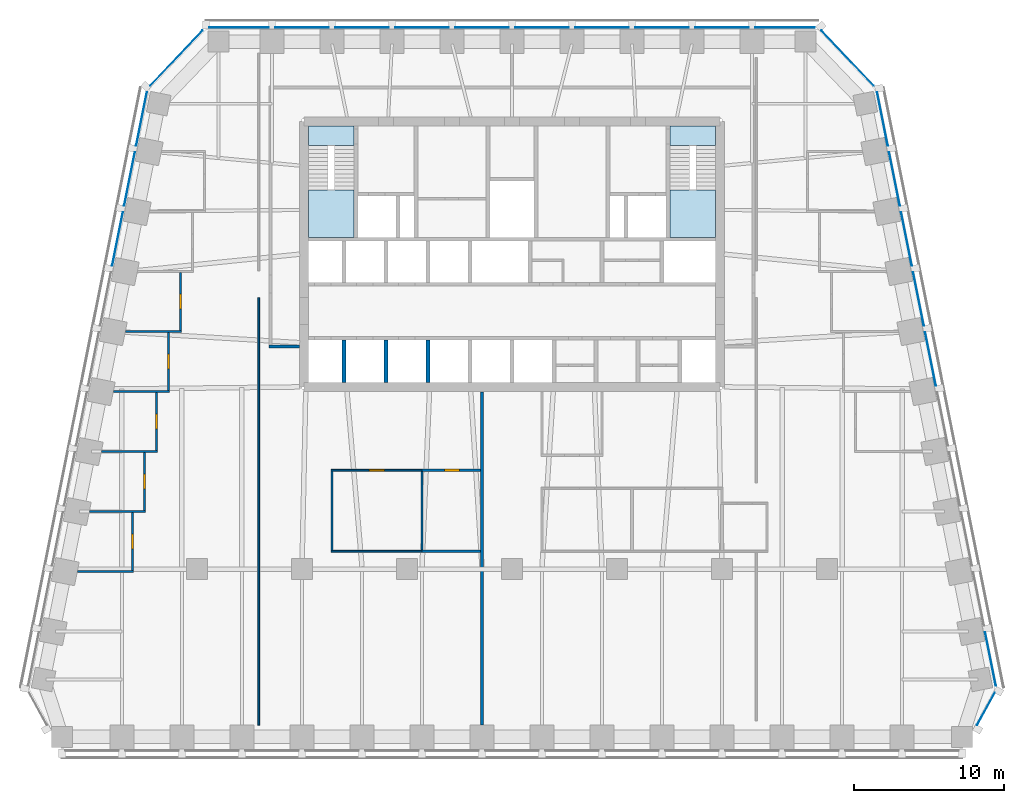
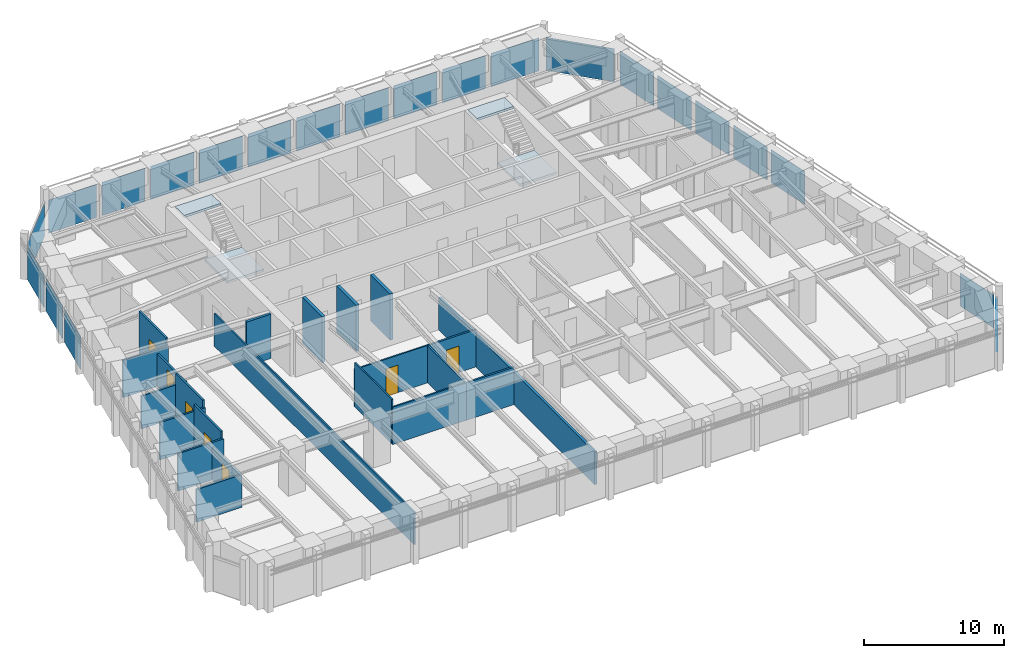
# One storey, part 5 of 10: 22 plates, 22 walls, 7 doors, 4 slabs, 7 openings, 8 elements without a shape of their own.
"""IFC4 building model written with IfcOpenShell, lengths in metres."""

import ifcopenshell
import ifcopenshell.guid

model = None  # the IFC model being written
_history = None  # IfcOwnerHistory: only IFC2X3 demands one
_inside = {}  # id of a spatial element -> (the spatial element, [elements in it])
_under = {}  # id of a project, library or spatial element -> (it, [spatial elements below it])
_declared = {}  # id of a project -> (the project, [libraries it declares])
_typed = {}  # id of a type object -> (the type object, [elements of that type])
_made_of = {}  # id of a material, layer set ... -> (it, [elements and type objects made of it])


def new_model(schema):
    """Start an empty IFC model of exactly this schema.

    Asked for "IFC4X3", IfcOpenShell would pick the latest addendum, in which some entities
    have other attributes; the version numbers below select the first issue.
    IFC2X3 requires an IfcOwnerHistory on every rooted entity: one is made here for all.
    """
    global model, _history
    if schema == "IFC4X3":
        model = ifcopenshell.file(schema_version=(4, 3, 0, 0))
    else:
        model = ifcopenshell.file(schema=schema)
    _inside.clear()
    _under.clear()
    _declared.clear()
    _typed.clear()
    _made_of.clear()
    _history = None
    if model.schema == "IFC2X3":
        org = make("IfcOrganization", Name="unknown")
        user = make(
            "IfcPersonAndOrganization",
            ThePerson=make("IfcPerson", FamilyName="unknown"),
            TheOrganization=org,
        )
        app = make(
            "IfcApplication",
            ApplicationDeveloper=org,
            Version="unknown",
            ApplicationFullName="unknown",
            ApplicationIdentifier="unknown",
        )
        _history = make(
            "IfcOwnerHistory",
            OwningUser=user,
            OwningApplication=app,
            ChangeAction="ADDED",
            CreationDate=0,
        )
    return model


def make(cls, **values):
    """One entity of the class cls with the attributes given. An attribute that is None is left unset."""
    return model.create_entity(
        cls, **{name: value for name, value in values.items() if value is not None}
    )


def rooted(cls, **values):
    """An entity with a GlobalId (a new one), such as an element, a storey or a relation."""
    return make(cls, GlobalId=ifcopenshell.guid.new(), OwnerHistory=_history, **values)


def si_unit(unit_type, name, prefix=None):
    """IfcSIUnit, for example si_unit("LENGTHUNIT", "METRE", prefix="MILLI")."""
    return make("IfcSIUnit", UnitType=unit_type, Prefix=prefix, Name=name)


def assignment(units):
    """IfcUnitAssignment: the units of a project."""
    return None if units is None else make("IfcUnitAssignment", Units=units)


def point(xyz):
    """IfcCartesianPoint."""
    return None if xyz is None else make("IfcCartesianPoint", Coordinates=xyz)


def direction(xyz):
    """IfcDirection."""
    return None if xyz is None else make("IfcDirection", DirectionRatios=xyz)


def frame(location, z_axis=None, x_axis=None):
    """IfcAxis2Placement3D, a coordinate frame: its origin and axes. An axis left out is left unset."""
    return make(
        "IfcAxis2Placement3D",
        Location=point(location),
        Axis=direction(z_axis),
        RefDirection=direction(x_axis),
    )


def frame_2d(location, x_axis=None):
    """IfcAxis2Placement2D, a coordinate frame in the plane: its origin and x axis."""
    return make(
        "IfcAxis2Placement2D", Location=point(location), RefDirection=direction(x_axis)
    )


def origin():
    """The frame at (0, 0, 0) with its axes left unset."""
    return frame((0.0, 0.0, 0.0))


def origin_2d():
    """The frame at (0, 0) in the plane with its x axis left unset."""
    return frame_2d((0.0, 0.0))


def place(relative_to, where):
    """IfcLocalPlacement: puts the frame where relative to a parent placement (None: the world)."""
    return make(
        "IfcLocalPlacement", PlacementRelTo=relative_to, RelativePlacement=where
    )


def context(
    kind, dimensions, precision=None, world=None, true_north=None, identifier=None
):
    """IfcGeometricRepresentationContext, for example the 3D "Model" context."""
    return make(
        "IfcGeometricRepresentationContext",
        ContextIdentifier=identifier,
        ContextType=kind,
        CoordinateSpaceDimension=dimensions,
        Precision=precision,
        WorldCoordinateSystem=world,
        TrueNorth=true_north,
    )


def subcontext(parent, identifier, kind, view, scale=None):
    """IfcGeometricRepresentationSubContext, for example "Body" below "Model"."""
    return make(
        "IfcGeometricRepresentationSubContext",
        ContextIdentifier=identifier,
        ContextType=kind,
        ParentContext=parent,
        TargetScale=scale,
        TargetView=view,
    )


def project(units=None, contexts=None):
    """IfcProject with its units and contexts."""
    return rooted(
        "IfcProject",
        Name="project",
        RepresentationContexts=contexts,
        UnitsInContext=assignment(units),
    )


def spatial(cls, under=None, at=None, **own):
    """A site, building, storey or space (cls), placed at a placement, below another one or the project."""
    s = rooted(cls, ObjectPlacement=at, **own)
    if under is not None:
        _under.setdefault(under.id(), (under, []))[1].append(s)
    return s


def polyline(points):
    """IfcPolyline through the points."""
    return make("IfcPolyline", Points=[point(p) for p in points])


def profile(cls, at=None, kind="AREA", **sizes):
    """A parametric profile (cls). Its sizes go by their IFC names, for example OverallWidth=200.0."""
    return make(cls, ProfileType=kind, Position=at, **sizes)


def rectangle(**sizes):
    """IfcRectangleProfileDef."""
    return profile("IfcRectangleProfileDef", **sizes)


def outline(outer, holes=None, kind="AREA"):
    """IfcArbitraryClosedProfileDef: a profile drawn as a closed curve; with holes, ...WithVoids."""
    if holes is None:
        return make("IfcArbitraryClosedProfileDef", ProfileType=kind, OuterCurve=outer)
    return make(
        "IfcArbitraryProfileDefWithVoids",
        ProfileType=kind,
        OuterCurve=outer,
        InnerCurves=holes,
    )


def extrude(swept, where, along, depth):
    """IfcExtrudedAreaSolid: the profile swept, set in the frame where, extruded along a direction by depth."""
    return make(
        "IfcExtrudedAreaSolid",
        SweptArea=swept,
        Position=where,
        ExtrudedDirection=direction(along),
        Depth=depth,
    )


def shape(context_of_items, identifier, shape_type, items):
    """IfcShapeRepresentation: the items that make up one representation, for example the "Body"."""
    return make(
        "IfcShapeRepresentation",
        ContextOfItems=context_of_items,
        RepresentationIdentifier=identifier,
        RepresentationType=shape_type,
        Items=items,
    )


def material(Name=None, Category=None):
    """IfcMaterial."""
    return make("IfcMaterial", Name=Name, Category=Category)


def layer(
    of_material, thickness, ventilated=None, Name=None, Category=None, Priority=None
):
    """IfcMaterialLayer: one layer of a wall or slab, of a material (None: an air gap)."""
    return make(
        "IfcMaterialLayer",
        Material=of_material,
        LayerThickness=thickness,
        IsVentilated=ventilated,
        Name=Name,
        Category=Category,
        Priority=Priority,
    )


def layer_set(layers, Name=None):
    """IfcMaterialLayerSet."""
    return make("IfcMaterialLayerSet", MaterialLayers=layers, LayerSetName=Name)


def made_of(thing, what):
    """Note that an element or type object is made of a material, layer set ...; save() writes the relation."""
    if what is not None:
        _made_of.setdefault(what.id(), (what, []))[1].append(thing)
    return thing


def type_object(cls, material=None, **own):
    """A type object (cls), such as IfcWallType, which elements share."""
    return made_of(rooted(cls, **own), material)


def element(
    cls,
    number,
    at=None,
    inside=None,
    cuts=None,
    type_object=None,
    material=None,
    context=None,
    identifier="Body",
    shape_type=None,
    held_by="IfcProductDefinitionShape",
    body=None,
    shapes=None,
    **own,
):
    """One element of the class cls, such as IfcWall. Its Tag is "e" and its number.

    at: its placement. inside: the storey or other place that contains it. cuts: it is an
    opening in that element (IfcRelVoidsElement). A single representation is given by context,
    identifier, shape_type and body (its items); several are given by shapes. held_by: the class
    of the entity that holds the representations. save() writes the other relations.
    """
    e = rooted(cls, Tag="e%d" % number, ObjectPlacement=at, **own)
    if body is not None:
        shapes = [shape(context, identifier, shape_type, body)]
    if shapes is not None:
        e.Representation = make(held_by, Representations=shapes)
    if inside is not None:
        _inside.setdefault(inside.id(), (inside, []))[1].append(e)
    if cuts is not None:
        rooted(
            "IfcRelVoidsElement", RelatingBuildingElement=cuts, RelatedOpeningElement=e
        )
    if type_object is not None:
        _typed.setdefault(type_object.id(), (type_object, []))[1].append(e)
    return made_of(e, material)


def fill(opening, filler):
    """IfcRelFillsElement: the door or window that sits in an opening."""
    return rooted(
        "IfcRelFillsElement",
        RelatingOpeningElement=opening,
        RelatedBuildingElement=filler,
    )


def aggregate(whole, parts):
    """IfcRelAggregates: a whole, such as a stair, and the parts it consists of."""
    return rooted("IfcRelAggregates", RelatingObject=whole, RelatedObjects=parts)


def save(model, path):
    """Write the relations noted so far, then the file.

    IfcRelAggregates (storeys below a building ...), IfcRelContainedInSpatialStructure (elements
    in a storey), IfcRelDefinesByType, IfcRelAssociatesMaterial and IfcRelDeclares: one each for
    every whole, place, type object, material and project.
    """
    for whole, parts in _under.values():
        aggregate(whole, parts)
    for where, things in _inside.values():
        rooted(
            "IfcRelContainedInSpatialStructure",
            RelatedElements=things,
            RelatingStructure=where,
        )
    for kind, things in _typed.values():
        rooted("IfcRelDefinesByType", RelatedObjects=things, RelatingType=kind)
    for what, things in _made_of.values():
        rooted("IfcRelAssociatesMaterial", RelatedObjects=things, RelatingMaterial=what)
    for by, libraries in _declared.values():
        rooted("IfcRelDeclares", RelatingContext=by, RelatedDefinitions=libraries)
    model.write(path)


model = new_model("IFC4")

# Units and contexts
model_context = context("Model", 3, precision=1e-05, world=origin(), true_north=direction((0.0, 1.0)))
body_context = subcontext(model_context, "Body", "Model", "MODEL_VIEW")
ifc_project = project(units=[si_unit("LENGTHUNIT", "METRE"), si_unit("AREAUNIT", "SQUARE_METRE"), si_unit("VOLUMEUNIT", "CUBIC_METRE"), si_unit("PLANEANGLEUNIT", "RADIAN"), si_unit("MASSUNIT", "GRAM", prefix="KILO")], contexts=[model_context])

# Site, building, storey
site_placement = place(None, origin())
site = spatial("IfcSite", under=ifc_project, at=site_placement, CompositionType="ELEMENT")
building_placement = place(site_placement, origin())
building = spatial("IfcBuilding", under=site, at=building_placement, Name="Isbrekke Arena Tower", CompositionType="ELEMENT")
storey_placement = place(building_placement, frame((0.0, 0.0, 198.0)))
storey = spatial("IfcBuildingStorey", under=building, at=storey_placement, Name="L45", CompositionType="ELEMENT", Elevation=198.0)

# Curtain wall, plate
ifc_material_1 = material(Name="Glazed aluminium curtain wall", Category="aluminium")
curtain_wall_type = type_object("IfcCurtainWallType", Name="CWH TOWER CURTAIN WALL HIGH ZONE", PredefinedType="USERDEFINED", material=ifc_material_1)
curtain_wall_1_placement = place(storey_placement, origin())
curtain_wall_1 = element("IfcCurtainWall", 1, at=curtain_wall_1_placement, inside=storey, type_object=curtain_wall_type, Name="CWH curtain wall L45-SE", ObjectType="TOWER CURTAIN WALL HIGH ZONE", PredefinedType="USERDEFINED")
ifc_material_2 = material(Name="Triple-glazed clear glass unit", Category="glass")
ifc_layer_1 = layer(ifc_material_2, 0.031982421875)
ifc_layer_set_1 = layer_set([ifc_layer_1], Name="CWH-P VISION PANEL")
plate_type = type_object("IfcPlateType", Name="CWH-P VISION PANEL", PredefinedType="CURTAIN_PANEL", material=ifc_layer_set_1)
plate_1_placement = place(storey_placement, frame((31.5908203125, -15.3154296875, 0.02001953125), z_axis=(0.0, 0.0, 1.0), x_axis=(0.481918749773, 0.876215908676, 0.0)))
plate_1 = element("IfcPlate", 2, at=plate_1_placement, type_object=plate_type, Name="CWH-P panel 1", PredefinedType="CURTAIN_PANEL", context=body_context, shape_type="SweptSolid", body=[
    extrude(rectangle(XDim=2.4423828125, YDim=0.031982421875, at=origin_2d()), origin(), (0.0, 0.0, 1.0), 2.8798828125),
])
aggregate(curtain_wall_1, [plate_1])

# Curtain wall, plates
curtain_wall_2_placement = place(storey_placement, origin())
curtain_wall_2 = element("IfcCurtainWall", 3, at=curtain_wall_2_placement, inside=storey, type_object=curtain_wall_type, Name="CWH curtain wall L45-E", ObjectType="TOWER CURTAIN WALL HIGH ZONE", PredefinedType="USERDEFINED")
plate_2_placement = place(storey_placement, frame((31.89794921875, -11.98046875, 0.02001953125), z_axis=(0.0, 0.0, 1.0), x_axis=(-0.196116135138, 0.980580675691, 0.0)))
plate_2 = element("IfcPlate", 4, at=plate_2_placement, type_object=plate_type, Name="CWH-P panel 1", PredefinedType="CURTAIN_PANEL", context=body_context, shape_type="SweptSolid", body=[
    extrude(rectangle(XDim=3.629150390625, YDim=0.031982421875, at=origin_2d()), origin(), (0.0, 0.0, 1.0), 2.8798828125),
])
plate_3_placement = place(storey_placement, frame((27.89794921875, 8.01953125, 0.02001953125), z_axis=(0.0, 0.0, 1.0), x_axis=(-0.196116135138, 0.980580675691, 0.0)))
plate_3 = element("IfcPlate", 5, at=plate_3_placement, type_object=plate_type, Name="CWH-P panel 6", PredefinedType="CURTAIN_PANEL", context=body_context, shape_type="SweptSolid", body=[
    extrude(rectangle(XDim=3.629150390625, YDim=0.031982421875, at=origin_2d()), origin(), (0.0, 0.0, 1.0), 2.8798828125),
])
plate_4_placement = place(storey_placement, frame((27.09814453125, 12.01953125, 0.02001953125), z_axis=(0.0, 0.0, 1.0), x_axis=(-0.196116135138, 0.980580675691, 0.0)))
plate_4 = element("IfcPlate", 6, at=plate_4_placement, type_object=plate_type, Name="CWH-P panel 7", PredefinedType="CURTAIN_PANEL", context=body_context, shape_type="SweptSolid", body=[
    extrude(rectangle(XDim=3.629150390625, YDim=0.031982421875, at=origin_2d()), origin(), (0.0, 0.0, 1.0), 2.8798828125),
])
plate_5_placement = place(storey_placement, frame((26.298095703125, 16.01953125, 0.02001953125), z_axis=(0.0, 0.0, 1.0), x_axis=(-0.196116135138, 0.980580675691, 0.0)))
plate_5 = element("IfcPlate", 7, at=plate_5_placement, type_object=plate_type, Name="CWH-P panel 8", PredefinedType="CURTAIN_PANEL", context=body_context, shape_type="SweptSolid", body=[
    extrude(rectangle(XDim=3.629150390625, YDim=0.031982421875, at=origin_2d()), origin(), (0.0, 0.0, 1.0), 2.8798828125),
])
plate_6_placement = place(storey_placement, frame((25.498046875, 20.01953125, 0.02001953125), z_axis=(0.0, 0.0, 1.0), x_axis=(-0.196116135138, 0.980580675691, 0.0)))
plate_6 = element("IfcPlate", 8, at=plate_6_placement, type_object=plate_type, Name="CWH-P panel 9", PredefinedType="CURTAIN_PANEL", context=body_context, shape_type="SweptSolid", body=[
    extrude(rectangle(XDim=3.629150390625, YDim=0.031982421875, at=origin_2d()), origin(), (0.0, 0.0, 1.0), 2.8798828125),
])
plate_7_placement = place(storey_placement, frame((24.697998046875, 24.01953125, 0.02001953125), z_axis=(0.0, 0.0, 1.0), x_axis=(-0.196116135138, 0.980580675691, 0.0)))
plate_7 = element("IfcPlate", 9, at=plate_7_placement, type_object=plate_type, Name="CWH-P panel 10", PredefinedType="CURTAIN_PANEL", context=body_context, shape_type="SweptSolid", body=[
    extrude(rectangle(XDim=3.629150390625, YDim=0.031982421875, at=origin_2d()), origin(), (0.0, 0.0, 1.0), 2.8798828125),
])
aggregate(curtain_wall_2, [plate_2, plate_3, plate_4, plate_5, plate_6, plate_7])

# Curtain wall, plate
curtain_wall_3_placement = place(storey_placement, origin())
curtain_wall_3 = element("IfcCurtainWall", 10, at=curtain_wall_3_placement, inside=storey, type_object=curtain_wall_type, Name="CWH curtain wall L45-EN", ObjectType="TOWER CURTAIN WALL HIGH ZONE", PredefinedType="USERDEFINED")
plate_8_placement = place(storey_placement, frame((22.37255859375, 28.06884765625, 0.02001953125), z_axis=(0.0, 0.0, 1.0), x_axis=(-0.68874946192, 0.72499943359, 0.0)))
plate_8 = element("IfcPlate", 11, at=plate_8_placement, type_object=plate_type, Name="CWH-P panel 1", PredefinedType="CURTAIN_PANEL", context=body_context, shape_type="SweptSolid", body=[
    extrude(rectangle(XDim=5.067138671875, YDim=0.031982421875, at=origin_2d()), origin(), (0.0, 0.0, 1.0), 2.8798828125),
])
aggregate(curtain_wall_3, [plate_8])

# Curtain wall, plates
curtain_wall_4_placement = place(storey_placement, origin())
curtain_wall_4 = element("IfcCurtainWall", 12, at=curtain_wall_4_placement, inside=storey, type_object=curtain_wall_type, Name="CWH curtain wall L45-N", ObjectType="TOWER CURTAIN WALL HIGH ZONE", PredefinedType="USERDEFINED")
plate_9_placement = place(storey_placement, frame((18.199951171875, 30.10009765625, 0.02001953125), z_axis=(0.0, 0.0, 1.0), x_axis=(-1.0, 0.0, 0.0)))
plate_9 = element("IfcPlate", 13, at=plate_9_placement, type_object=plate_type, Name="CWH-P panel 1", PredefinedType="CURTAIN_PANEL", context=body_context, shape_type="SweptSolid", body=[
    extrude(rectangle(XDim=3.949951171875, YDim=0.031982421875, at=origin_2d()), origin(), (0.0, 0.0, 1.0), 2.8798828125),
])
plate_10_placement = place(storey_placement, frame((14.0, 30.10009765625, 0.02001953125), z_axis=(0.0, 0.0, 1.0), x_axis=(-1.0, 0.0, 0.0)))
plate_10 = element("IfcPlate", 14, at=plate_10_placement, type_object=plate_type, Name="CWH-P panel 2", PredefinedType="CURTAIN_PANEL", context=body_context, shape_type="SweptSolid", body=[
    extrude(rectangle(XDim=3.550048828125, YDim=0.031982421875, at=origin_2d()), origin(), (0.0, 0.0, 1.0), 2.8798828125),
])
plate_11_placement = place(storey_placement, frame((10.0, 30.10009765625, 0.02001953125), z_axis=(0.0, 0.0, 1.0), x_axis=(-1.0, 0.0, 0.0)))
plate_11 = element("IfcPlate", 15, at=plate_11_placement, type_object=plate_type, Name="CWH-P panel 3", PredefinedType="CURTAIN_PANEL", context=body_context, shape_type="SweptSolid", body=[
    extrude(rectangle(XDim=3.550048828125, YDim=0.031982421875, at=origin_2d()), origin(), (0.0, 0.0, 1.0), 2.8798828125),
])
plate_12_placement = place(storey_placement, frame((6.0, 30.10009765625, 0.02001953125), z_axis=(0.0, 0.0, 1.0), x_axis=(-1.0, 0.0, 0.0)))
plate_12 = element("IfcPlate", 16, at=plate_12_placement, type_object=plate_type, Name="CWH-P panel 4", PredefinedType="CURTAIN_PANEL", context=body_context, shape_type="SweptSolid", body=[
    extrude(rectangle(XDim=3.550048828125, YDim=0.031982421875, at=origin_2d()), origin(), (0.0, 0.0, 1.0), 2.8798828125),
])
plate_13_placement = place(storey_placement, frame((2.0, 30.10009765625, 0.02001953125), z_axis=(0.0, 0.0, 1.0), x_axis=(-1.0, 0.0, 0.0)))
plate_13 = element("IfcPlate", 17, at=plate_13_placement, type_object=plate_type, Name="CWH-P panel 5", PredefinedType="CURTAIN_PANEL", context=body_context, shape_type="SweptSolid", body=[
    extrude(rectangle(XDim=3.550048828125, YDim=0.031982421875, at=origin_2d()), origin(), (0.0, 0.0, 1.0), 2.8798828125),
])
plate_14_placement = place(storey_placement, frame((-2.0, 30.10009765625, 0.02001953125), z_axis=(0.0, 0.0, 1.0), x_axis=(-1.0, 0.0, 0.0)))
plate_14 = element("IfcPlate", 18, at=plate_14_placement, type_object=plate_type, Name="CWH-P panel 6", PredefinedType="CURTAIN_PANEL", context=body_context, shape_type="SweptSolid", body=[
    extrude(rectangle(XDim=3.550048828125, YDim=0.031982421875, at=origin_2d()), origin(), (0.0, 0.0, 1.0), 2.8798828125),
])
plate_15_placement = place(storey_placement, frame((-6.0, 30.10009765625, 0.02001953125), z_axis=(0.0, 0.0, 1.0), x_axis=(-1.0, 0.0, 0.0)))
plate_15 = element("IfcPlate", 19, at=plate_15_placement, type_object=plate_type, Name="CWH-P panel 7", PredefinedType="CURTAIN_PANEL", context=body_context, shape_type="SweptSolid", body=[
    extrude(rectangle(XDim=3.550048828125, YDim=0.031982421875, at=origin_2d()), origin(), (0.0, 0.0, 1.0), 2.8798828125),
])
plate_16_placement = place(storey_placement, frame((-10.0, 30.10009765625, 0.02001953125), z_axis=(0.0, 0.0, 1.0), x_axis=(-1.0, 0.0, 0.0)))
plate_16 = element("IfcPlate", 20, at=plate_16_placement, type_object=plate_type, Name="CWH-P panel 8", PredefinedType="CURTAIN_PANEL", context=body_context, shape_type="SweptSolid", body=[
    extrude(rectangle(XDim=3.550048828125, YDim=0.031982421875, at=origin_2d()), origin(), (0.0, 0.0, 1.0), 2.8798828125),
])
plate_17_placement = place(storey_placement, frame((-14.0, 30.10009765625, 0.02001953125), z_axis=(0.0, 0.0, 1.0), x_axis=(-1.0, 0.0, 0.0)))
plate_17 = element("IfcPlate", 21, at=plate_17_placement, type_object=plate_type, Name="CWH-P panel 9", PredefinedType="CURTAIN_PANEL", context=body_context, shape_type="SweptSolid", body=[
    extrude(rectangle(XDim=3.550048828125, YDim=0.031982421875, at=origin_2d()), origin(), (0.0, 0.0, 1.0), 2.8798828125),
])
plate_18_placement = place(storey_placement, frame((-18.199951171875, 30.10009765625, 0.02001953125), z_axis=(0.0, 0.0, 1.0), x_axis=(-1.0, 0.0, 0.0)))
plate_18 = element("IfcPlate", 22, at=plate_18_placement, type_object=plate_type, Name="CWH-P panel 10", PredefinedType="CURTAIN_PANEL", context=body_context, shape_type="SweptSolid", body=[
    extrude(rectangle(XDim=3.949951171875, YDim=0.031982421875, at=origin_2d()), origin(), (0.0, 0.0, 1.0), 2.8798828125),
])
aggregate(curtain_wall_4, [plate_9, plate_10, plate_11, plate_12, plate_13, plate_14, plate_15, plate_16, plate_17, plate_18])

# Curtain wall, plate
curtain_wall_5_placement = place(storey_placement, origin())
curtain_wall_5 = element("IfcCurtainWall", 23, at=curtain_wall_5_placement, inside=storey, type_object=curtain_wall_type, Name="CWH curtain wall L45-NW", ObjectType="TOWER CURTAIN WALL HIGH ZONE", PredefinedType="USERDEFINED")
plate_19_placement = place(storey_placement, frame((-22.37255859375, 28.06884765625, 0.02001953125), z_axis=(0.0, 0.0, 1.0), x_axis=(-0.68874946192, -0.72499943359, 0.0)))
plate_19 = element("IfcPlate", 24, at=plate_19_placement, type_object=plate_type, Name="CWH-P panel 1", PredefinedType="CURTAIN_PANEL", context=body_context, shape_type="SweptSolid", body=[
    extrude(rectangle(XDim=5.067138671875, YDim=0.031982421875, at=origin_2d()), origin(), (0.0, 0.0, 1.0), 2.8798828125),
])
aggregate(curtain_wall_5, [plate_19])

# Curtain wall, plates
curtain_wall_6_placement = place(storey_placement, origin())
curtain_wall_6 = element("IfcCurtainWall", 25, at=curtain_wall_6_placement, inside=storey, type_object=curtain_wall_type, Name="CWH curtain wall L45-W", ObjectType="TOWER CURTAIN WALL HIGH ZONE", PredefinedType="USERDEFINED")
plate_20_placement = place(storey_placement, frame((-24.697998046875, 24.01953125, 0.02001953125), z_axis=(0.0, 0.0, 1.0), x_axis=(-0.196116135138, -0.980580675691, 0.0)))
plate_20 = element("IfcPlate", 26, at=plate_20_placement, type_object=plate_type, Name="CWH-P panel 1", PredefinedType="CURTAIN_PANEL", context=body_context, shape_type="SweptSolid", body=[
    extrude(rectangle(XDim=3.629150390625, YDim=0.031982421875, at=origin_2d()), origin(), (0.0, 0.0, 1.0), 2.8798828125),
])
plate_21_placement = place(storey_placement, frame((-25.498046875, 20.01953125, 0.02001953125), z_axis=(0.0, 0.0, 1.0), x_axis=(-0.196116135138, -0.980580675691, 0.0)))
plate_21 = element("IfcPlate", 27, at=plate_21_placement, type_object=plate_type, Name="CWH-P panel 2", PredefinedType="CURTAIN_PANEL", context=body_context, shape_type="SweptSolid", body=[
    extrude(rectangle(XDim=3.629150390625, YDim=0.031982421875, at=origin_2d()), origin(), (0.0, 0.0, 1.0), 2.8798828125),
])
plate_22_placement = place(storey_placement, frame((-26.298095703125, 16.01953125, 0.02001953125), z_axis=(0.0, 0.0, 1.0), x_axis=(-0.196116135138, -0.980580675691, 0.0)))
plate_22 = element("IfcPlate", 28, at=plate_22_placement, type_object=plate_type, Name="CWH-P panel 3", PredefinedType="CURTAIN_PANEL", context=body_context, shape_type="SweptSolid", body=[
    extrude(rectangle(XDim=3.629150390625, YDim=0.031982421875, at=origin_2d()), origin(), (0.0, 0.0, 1.0), 2.8798828125),
])
aggregate(curtain_wall_6, [plate_20, plate_21, plate_22])

# Stair, slabs
ifc_material_3 = material(Name="Concrete B45 (C45/55) precast", Category="concrete")
stair_type = type_object("IfcStairType", Name="ST40 STAIR 1300 WIDE, 24 RISERS 167", PredefinedType="HALF_TURN_STAIR", material=ifc_material_3)
stair_1_placement = place(storey_placement, origin())
stair_1 = element("IfcStair", 29, at=stair_1_placement, inside=storey, type_object=stair_type, Name="ST1 stair L45", PredefinedType="HALF_TURN_STAIR")
ifc_material_4 = material(Name="Concrete B35 (C35/45)", Category="concrete")
ifc_layer_2 = layer(ifc_material_4, 0.199951171875)
ifc_layer_set_2 = layer_set([ifc_layer_2], Name="SL1 STAIR LANDING 200")
slab_type = type_object("IfcSlabType", Name="SL1 STAIR LANDING 200", PredefinedType="LANDING", material=ifc_layer_set_2)
slab_1_placement = place(storey_placement, frame((0.0, 0.0, 1.800048828125)))
slab_1 = element("IfcSlab", 30, at=slab_1_placement, type_object=slab_type, Name="ST1 landing 1", PredefinedType="LANDING", context=body_context, shape_type="SweptSolid", body=[
    extrude(outline(polyline([(-13.550048828125, 16.125), (-10.52490234375, 16.125), (-10.52490234375, 19.280029296875), (-13.550048828125, 19.280029296875), (-13.550048828125, 16.125)])), origin(), (0.0, 0.0, 1.0), 0.199951171875),
])
slab_2_placement = place(storey_placement, frame((0.0, 0.0, 3.800048828125)))
slab_2 = element("IfcSlab", 31, at=slab_2_placement, type_object=slab_type, Name="ST1 landing 2", PredefinedType="LANDING", context=body_context, shape_type="SweptSolid", body=[
    extrude(outline(polyline([(-13.550048828125, 22.25), (-10.52490234375, 22.25), (-10.52490234375, 23.550048828125), (-13.550048828125, 23.550048828125), (-13.550048828125, 22.25)])), origin(), (0.0, 0.0, 1.0), 0.199951171875),
])
aggregate(stair_1, [slab_1, slab_2])

stair_2_placement = place(storey_placement, origin())
stair_2 = element("IfcStair", 32, at=stair_2_placement, inside=storey, type_object=stair_type, Name="ST2 stair L45", PredefinedType="HALF_TURN_STAIR")
slab_3_placement = place(storey_placement, frame((0.0, 0.0, 1.800048828125)))
slab_3 = element("IfcSlab", 33, at=slab_3_placement, type_object=slab_type, Name="ST2 landing 1", PredefinedType="LANDING", context=body_context, shape_type="SweptSolid", body=[
    extrude(outline(polyline([(10.52490234375, 16.125), (13.550048828125, 16.125), (13.550048828125, 19.280029296875), (10.52490234375, 19.280029296875), (10.52490234375, 16.125)])), origin(), (0.0, 0.0, 1.0), 0.199951171875),
])
slab_4_placement = place(storey_placement, frame((0.0, 0.0, 3.800048828125)))
slab_4 = element("IfcSlab", 34, at=slab_4_placement, type_object=slab_type, Name="ST2 landing 2", PredefinedType="LANDING", context=body_context, shape_type="SweptSolid", body=[
    extrude(outline(polyline([(10.52490234375, 22.25), (13.550048828125, 22.25), (13.550048828125, 23.550048828125), (10.52490234375, 23.550048828125), (10.52490234375, 22.25)])), origin(), (0.0, 0.0, 1.0), 0.199951171875),
])
aggregate(stair_2, [slab_3, slab_4])

# Walls
ifc_material_5 = material(Name="Concrete B45 (C45/55)", Category="concrete")
ifc_layer_3 = layer(ifc_material_5, 0.25)
ifc_layer_set_3 = layer_set([ifc_layer_3], Name="CW6 SHAFT WALL 250")
wall_type_1 = type_object("IfcWallType", Name="CW6 SHAFT WALL 250", PredefinedType="SHEAR", material=ifc_layer_set_3)
for number, where, z_axis, x_axis, name in (
    (35, (-11.199951171875, 6.449951171875, 0.0), (0.0, 0.0, 1.0), (0.0, 1.0, 0.0), "Core wall SS01 L45"),
    (36, (-8.39990234375, 6.449951171875, 0.0), (0.0, 0.0, 1.0), (0.0, 1.0, 0.0), "Core wall SS02 L45"),
    (37, (-5.60009765625, 6.449951171875, 0.0), (0.0, 0.0, 1.0), (0.0, 1.0, 0.0), "Core wall SS03 L45"),
):
    element("IfcWall", number, at=place(storey_placement, frame(where, z_axis=z_axis, x_axis=x_axis)), inside=storey, type_object=wall_type_1, Name=name, PredefinedType="SHEAR", context=body_context, shape_type="SweptSolid", body=[
        extrude(rectangle(XDim=2.824951171875, YDim=0.25, at=frame_2d((1.41259765625, 0.0))), origin(), (0.0, 0.0, 1.0), 4.0),
    ])
ifc_material_6 = material(Name="Gypsum board partition on steel studs", Category="steel")
ifc_layer_4 = layer(ifc_material_6, 0.14990234375)
ifc_layer_set_4 = layer_set([ifc_layer_4], Name="IW1 PARTITION 150")
wall_type_2 = type_object("IfcWallType", Name="IW1 PARTITION 150", PredefinedType="PARTITIONING", material=ifc_layer_set_4)
wall_1_placement = place(storey_placement, frame((-28.974853515625, -6.159912109375, 0.0), z_axis=(0.0, 0.0, 1.0), x_axis=(1.0, 0.0, 0.0)))
element("IfcWall", 38, at=wall_1_placement, inside=storey, type_object=wall_type_2, Name="IW1 partition 150 L45", PredefinedType="PARTITIONING", context=body_context, shape_type="SweptSolid", body=[
    extrude(rectangle(XDim=3.749755859375, YDim=0.14990234375, at=frame_2d((1.875, 0.0))), origin(), (0.0, 0.0, 1.0), 2.842041015625),
])
wall_2_placement = place(storey_placement, frame((-6.0, -4.800048828125, 0.0), z_axis=(0.0, 0.0, 1.0), x_axis=(1.0, 0.0, 0.0)))
element("IfcWall", 39, at=wall_2_placement, inside=storey, type_object=wall_type_2, Name="IW1 partition 150 L45", PredefinedType="PARTITIONING", context=body_context, shape_type="SweptSolid", body=[
    extrude(rectangle(XDim=3.89990234375, YDim=0.14990234375, at=frame_2d((1.949951171875, 0.0))), origin(), (0.0, 0.0, 1.0), 3.25),
])
wall_3_placement = place(storey_placement, frame((-28.1748046875, -2.159912109375, 0.0), z_axis=(0.0, 0.0, 1.0), x_axis=(1.0, 0.0, 0.0)))
element("IfcWall", 40, at=wall_3_placement, inside=storey, type_object=wall_type_2, Name="IW1 partition 150 L45", PredefinedType="PARTITIONING", context=body_context, shape_type="SweptSolid", body=[
    extrude(rectangle(XDim=3.749755859375, YDim=0.14990234375, at=frame_2d((1.875, 0.0))), origin(), (0.0, 0.0, 1.0), 3.25),
])

# Wall, opening, door
wall_4_placement = place(storey_placement, frame((-6.0, 0.60009765625, 0.0), z_axis=(0.0, 0.0, 1.0), x_axis=(1.0, 0.0, 0.0)))
wall_4 = element("IfcWall", 41, at=wall_4_placement, inside=storey, type_object=wall_type_2, Name="IW1 partition 150 L45", PredefinedType="PARTITIONING", context=body_context, shape_type="SweptSolid", body=[
    extrude(rectangle(XDim=3.89990234375, YDim=0.14990234375, at=frame_2d((1.949951171875, 0.0))), origin(), (0.0, 0.0, 1.0), 3.25),
])
opening_1_placement = place(wall_4_placement, frame((1.5, 0.0, 0.0)))
opening_1 = element("IfcOpeningElement", 42, at=opening_1_placement, cuts=wall_4, Name="Opening D10", PredefinedType="OPENING", context=body_context, shape_type="SweptSolid", body=[
    extrude(rectangle(XDim=1.0, YDim=2.300048828125, at=frame_2d((0.5, 1.14990234375))), frame((0.0, 0.08984375, 0.0), z_axis=(0.0, -1.0, 0.0), x_axis=(1.0, 0.0, 0.0)), (0.0, 0.0, 1.0), 0.1796875),
])
ifc_material_7 = material(Name="Timber door", Category="wood")
door_type_1 = type_object("IfcDoorType", Name="D10 OFFICE DOOR 1000 x 2300", OperationType="SINGLE_SWING_LEFT", PredefinedType="DOOR", material=ifc_material_7)
door_1_placement = place(opening_1_placement, origin())
door_1 = element("IfcDoor", 43, at=door_1_placement, inside=storey, type_object=door_type_1, Name="D10 pantry door L45", OperationType="SINGLE_SWING_LEFT", OverallHeight=2.300048828125, OverallWidth=1.0, PredefinedType="DOOR", context=body_context, shape_type="SweptSolid", body=[
    extrude(rectangle(XDim=1.0, YDim=2.300048828125, at=frame_2d((0.5, 1.14990234375))), frame((0.0, 0.07470703125, 0.0), z_axis=(0.0, -1.0, 0.0), x_axis=(1.0, 0.0, 0.0)), (0.0, 0.0, 1.0), 0.1494140625),
])
fill(opening_1, door_1)

# Walls
wall_5_placement = place(storey_placement, frame((-27.374755859375, 1.840087890625, 0.0), z_axis=(0.0, 0.0, 1.0), x_axis=(1.0, 0.0, 0.0)))
element("IfcWall", 44, at=wall_5_placement, inside=storey, type_object=wall_type_2, Name="IW1 partition 150 L45", PredefinedType="PARTITIONING", context=body_context, shape_type="SweptSolid", body=[
    extrude(rectangle(XDim=3.749755859375, YDim=0.14990234375, at=frame_2d((1.875, 0.0))), origin(), (0.0, 0.0, 1.0), 3.25),
])
wall_6_placement = place(storey_placement, frame((-26.57470703125, 5.840087890625, 0.0), z_axis=(0.0, 0.0, 1.0), x_axis=(1.0, 0.0, 0.0)))
element("IfcWall", 45, at=wall_6_placement, inside=storey, type_object=wall_type_2, Name="IW1 partition 150 L45", PredefinedType="PARTITIONING", context=body_context, shape_type="SweptSolid", body=[
    extrude(rectangle(XDim=3.749755859375, YDim=0.14990234375, at=frame_2d((1.875, 0.0))), origin(), (0.0, 0.0, 1.0), 2.842041015625),
])
wall_7_placement = place(storey_placement, frame((-25.77490234375, 9.840087890625, 0.0), z_axis=(0.0, 0.0, 1.0), x_axis=(1.0, 0.0, 0.0)))
element("IfcWall", 46, at=wall_7_placement, inside=storey, type_object=wall_type_2, Name="IW1 partition 150 L45", PredefinedType="PARTITIONING", context=body_context, shape_type="SweptSolid", body=[
    extrude(rectangle(XDim=3.75, YDim=0.14990234375, at=frame_2d((1.875, 0.0))), origin(), (0.0, 0.0, 1.0), 3.25),
])

# Wall, opening, door
wall_8_placement = place(storey_placement, frame((-25.300048828125, -6.0849609375, 0.0), z_axis=(0.0, 0.0, 1.0), x_axis=(0.0, 1.0, 0.0)))
wall_8 = element("IfcWall", 47, at=wall_8_placement, inside=storey, type_object=wall_type_2, Name="IW1 partition 150 L45", PredefinedType="PARTITIONING", context=body_context, shape_type="SweptSolid", body=[
    extrude(rectangle(XDim=3.849853515625, YDim=0.14990234375, at=frame_2d((1.9248046875, 0.0))), origin(), (0.0, 0.0, 1.0), 2.842041015625),
])
opening_2_placement = place(wall_8_placement, frame((1.425048828125, 0.0, 0.0)))
opening_2 = element("IfcOpeningElement", 48, at=opening_2_placement, cuts=wall_8, Name="Opening D10", PredefinedType="OPENING", context=body_context, shape_type="SweptSolid", body=[
    extrude(rectangle(XDim=1.0, YDim=2.300048828125, at=frame_2d((0.5, 1.14990234375))), frame((0.0, 0.08984375, 0.0), z_axis=(0.0, -1.0, 0.0), x_axis=(1.0, 0.0, 0.0)), (0.0, 0.0, 1.0), 0.1796875),
])
door_2_placement = place(opening_2_placement, origin())
door_2 = element("IfcDoor", 49, at=door_2_placement, inside=storey, type_object=door_type_1, Name="D10 office door L45", OperationType="SINGLE_SWING_LEFT", OverallHeight=2.300048828125, OverallWidth=1.0, PredefinedType="DOOR", context=body_context, shape_type="SweptSolid", body=[
    extrude(rectangle(XDim=1.0, YDim=2.300048828125, at=frame_2d((0.5, 1.14990234375))), frame((0.0, 0.07470703125, 0.0), z_axis=(0.0, -1.0, 0.0), x_axis=(1.0, 0.0, 0.0)), (0.0, 0.0, 1.0), 0.1494140625),
])
fill(opening_2, door_2)

wall_9_placement = place(storey_placement, frame((-24.5, -2.0849609375, 0.0), z_axis=(0.0, 0.0, 1.0), x_axis=(0.0, 1.0, 0.0)))
wall_9 = element("IfcWall", 50, at=wall_9_placement, inside=storey, type_object=wall_type_2, Name="IW1 partition 150 L45", PredefinedType="PARTITIONING", context=body_context, shape_type="SweptSolid", body=[
    extrude(rectangle(XDim=3.849853515625, YDim=0.14990234375, at=frame_2d((1.9248046875, 0.0))), origin(), (0.0, 0.0, 1.0), 3.85009765625),
])
opening_3_placement = place(wall_9_placement, frame((1.425048828125, 0.0, 0.0)))
opening_3 = element("IfcOpeningElement", 51, at=opening_3_placement, cuts=wall_9, Name="Opening D10", PredefinedType="OPENING", context=body_context, shape_type="SweptSolid", body=[
    extrude(rectangle(XDim=1.0, YDim=2.300048828125, at=frame_2d((0.5, 1.14990234375))), frame((0.0, 0.08984375, 0.0), z_axis=(0.0, -1.0, 0.0), x_axis=(1.0, 0.0, 0.0)), (0.0, 0.0, 1.0), 0.1796875),
])
door_3_placement = place(opening_3_placement, origin())
door_3 = element("IfcDoor", 52, at=door_3_placement, inside=storey, type_object=door_type_1, Name="D10 office door L45", OperationType="SINGLE_SWING_LEFT", OverallHeight=2.300048828125, OverallWidth=1.0, PredefinedType="DOOR", context=body_context, shape_type="SweptSolid", body=[
    extrude(rectangle(XDim=1.0, YDim=2.300048828125, at=frame_2d((0.5, 1.14990234375))), frame((0.0, 0.07470703125, 0.0), z_axis=(0.0, -1.0, 0.0), x_axis=(1.0, 0.0, 0.0)), (0.0, 0.0, 1.0), 0.1494140625),
])
fill(opening_3, door_3)

wall_10_placement = place(storey_placement, frame((-23.699951171875, 1.9150390625, 0.0), z_axis=(0.0, 0.0, 1.0), x_axis=(0.0, 1.0, 0.0)))
wall_10 = element("IfcWall", 53, at=wall_10_placement, inside=storey, type_object=wall_type_2, Name="IW1 partition 150 L45", PredefinedType="PARTITIONING", context=body_context, shape_type="SweptSolid", body=[
    extrude(rectangle(XDim=3.849853515625, YDim=0.14990234375, at=frame_2d((1.9248046875, 0.0))), origin(), (0.0, 0.0, 1.0), 3.85009765625),
])
opening_4_placement = place(wall_10_placement, frame((1.425048828125, 0.0, 0.0)))
opening_4 = element("IfcOpeningElement", 54, at=opening_4_placement, cuts=wall_10, Name="Opening D10", PredefinedType="OPENING", context=body_context, shape_type="SweptSolid", body=[
    extrude(rectangle(XDim=1.0, YDim=2.300048828125, at=frame_2d((0.5, 1.14990234375))), frame((0.0, 0.08984375, 0.0), z_axis=(0.0, -1.0, 0.0), x_axis=(1.0, 0.0, 0.0)), (0.0, 0.0, 1.0), 0.1796875),
])
door_4_placement = place(opening_4_placement, origin())
door_4 = element("IfcDoor", 55, at=door_4_placement, inside=storey, type_object=door_type_1, Name="D10 office door L45", OperationType="SINGLE_SWING_LEFT", OverallHeight=2.300048828125, OverallWidth=1.0, PredefinedType="DOOR", context=body_context, shape_type="SweptSolid", body=[
    extrude(rectangle(XDim=1.0, YDim=2.300048828125, at=frame_2d((0.5, 1.14990234375))), frame((0.0, 0.07470703125, 0.0), z_axis=(0.0, -1.0, 0.0), x_axis=(1.0, 0.0, 0.0)), (0.0, 0.0, 1.0), 0.1494140625),
])
fill(opening_4, door_4)

wall_11_placement = place(storey_placement, frame((-22.89990234375, 5.9150390625, 0.0), z_axis=(0.0, 0.0, 1.0), x_axis=(0.0, 1.0, 0.0)))
wall_11 = element("IfcWall", 56, at=wall_11_placement, inside=storey, type_object=wall_type_2, Name="IW1 partition 150 L45", PredefinedType="PARTITIONING", context=body_context, shape_type="SweptSolid", body=[
    extrude(rectangle(XDim=3.849853515625, YDim=0.14990234375, at=frame_2d((1.9248046875, 0.0))), origin(), (0.0, 0.0, 1.0), 2.842041015625),
])
opening_5_placement = place(wall_11_placement, frame((1.425048828125, 0.0, 0.0)))
opening_5 = element("IfcOpeningElement", 57, at=opening_5_placement, cuts=wall_11, Name="Opening D10", PredefinedType="OPENING", context=body_context, shape_type="SweptSolid", body=[
    extrude(rectangle(XDim=1.0, YDim=2.300048828125, at=frame_2d((0.5, 1.14990234375))), frame((0.0, 0.08984375, 0.0), z_axis=(0.0, -1.0, 0.0), x_axis=(1.0, 0.0, 0.0)), (0.0, 0.0, 1.0), 0.1796875),
])
door_5_placement = place(opening_5_placement, origin())
door_5 = element("IfcDoor", 58, at=door_5_placement, inside=storey, type_object=door_type_1, Name="D10 office door L45", OperationType="SINGLE_SWING_LEFT", OverallHeight=2.300048828125, OverallWidth=1.0, PredefinedType="DOOR", context=body_context, shape_type="SweptSolid", body=[
    extrude(rectangle(XDim=1.0, YDim=2.300048828125, at=frame_2d((0.5, 1.14990234375))), frame((0.0, 0.07470703125, 0.0), z_axis=(0.0, -1.0, 0.0), x_axis=(1.0, 0.0, 0.0)), (0.0, 0.0, 1.0), 0.1494140625),
])
fill(opening_5, door_5)

wall_12_placement = place(storey_placement, frame((-22.10009765625, 9.9150390625, 0.0), z_axis=(0.0, 0.0, 1.0), x_axis=(0.0, 1.0, 0.0)))
wall_12 = element("IfcWall", 59, at=wall_12_placement, inside=storey, type_object=wall_type_2, Name="IW1 partition 150 L45", PredefinedType="PARTITIONING", context=body_context, shape_type="SweptSolid", body=[
    extrude(rectangle(XDim=3.849853515625, YDim=0.14990234375, at=frame_2d((1.9248046875, 0.0))), origin(), (0.0, 0.0, 1.0), 3.85009765625),
])
opening_6_placement = place(wall_12_placement, frame((1.425048828125, 0.0, 0.0)))
opening_6 = element("IfcOpeningElement", 60, at=opening_6_placement, cuts=wall_12, Name="Opening D10", PredefinedType="OPENING", context=body_context, shape_type="SweptSolid", body=[
    extrude(rectangle(XDim=1.0, YDim=2.300048828125, at=frame_2d((0.5, 1.14990234375))), frame((0.0, 0.08984375, 0.0), z_axis=(0.0, -1.0, 0.0), x_axis=(1.0, 0.0, 0.0)), (0.0, 0.0, 1.0), 0.1796875),
])
door_6_placement = place(opening_6_placement, origin())
door_6 = element("IfcDoor", 61, at=door_6_placement, inside=storey, type_object=door_type_1, Name="D10 office door L45", OperationType="SINGLE_SWING_LEFT", OverallHeight=2.300048828125, OverallWidth=1.0, PredefinedType="DOOR", context=body_context, shape_type="SweptSolid", body=[
    extrude(rectangle(XDim=1.0, YDim=2.300048828125, at=frame_2d((0.5, 1.14990234375))), frame((0.0, 0.07470703125, 0.0), z_axis=(0.0, -1.0, 0.0), x_axis=(1.0, 0.0, 0.0)), (0.0, 0.0, 1.0), 0.1494140625),
])
fill(opening_6, door_6)

# Walls
wall_13_placement = place(storey_placement, frame((-6.0, -4.72509765625, 0.0), z_axis=(0.0, 0.0, 1.0), x_axis=(0.0, 1.0, 0.0)))
element("IfcWall", 62, at=wall_13_placement, inside=storey, type_object=wall_type_2, Name="IW1 partition 150 L45", PredefinedType="PARTITIONING", context=body_context, shape_type="SweptSolid", body=[
    extrude(rectangle(XDim=5.25, YDim=0.14990234375, at=frame_2d((2.625, 0.0))), origin(), (0.0, 0.0, 1.0), 3.25),
])
ifc_material_8 = material(Name="Frameless glazed partition, laminated acoustic glass", Category="glass")
ifc_layer_5 = layer(ifc_material_8, 0.1201171875)
ifc_layer_set_5 = layer_set([ifc_layer_5], Name="IW2 GLAZED PARTITION 120")
wall_type_3 = type_object("IfcWallType", Name="IW2 GLAZED PARTITION 120", PredefinedType="PARTITIONING", material=ifc_layer_set_5)
wall_14_placement = place(storey_placement, frame((-12.06005859375, -4.800048828125, 0.0), z_axis=(0.0, 0.0, 1.0), x_axis=(1.0, 0.0, 0.0)))
element("IfcWall", 63, at=wall_14_placement, inside=storey, type_object=wall_type_3, Name="IW2 glazed partition 120 L45", PredefinedType="PARTITIONING", context=body_context, shape_type="SweptSolid", body=[
    extrude(rectangle(XDim=6.06005859375, YDim=0.1201171875, at=frame_2d((3.030029296875, 0.0))), origin(), (0.0, 0.0, 1.0), 3.25),
])

# Wall, opening, door
wall_15_placement = place(storey_placement, frame((-12.06005859375, 0.60009765625, 0.0), z_axis=(0.0, 0.0, 1.0), x_axis=(1.0, 0.0, 0.0)))
wall_15 = element("IfcWall", 64, at=wall_15_placement, inside=storey, type_object=wall_type_3, Name="IW2 glazed partition 120 L45", PredefinedType="PARTITIONING", context=body_context, shape_type="SweptSolid", body=[
    extrude(rectangle(XDim=6.06005859375, YDim=0.1201171875, at=frame_2d((3.030029296875, 0.0))), origin(), (0.0, 0.0, 1.0), 3.25),
])
opening_7_placement = place(wall_15_placement, frame((2.56005859375, 0.0, 0.0)))
opening_7 = element("IfcOpeningElement", 65, at=opening_7_placement, cuts=wall_15, Name="Opening D11", PredefinedType="OPENING", context=body_context, shape_type="SweptSolid", body=[
    extrude(rectangle(XDim=1.0, YDim=2.39990234375, at=frame_2d((0.5, 1.199951171875))), frame((0.0, 0.074951171875, 0.0), z_axis=(0.0, -1.0, 0.0), x_axis=(1.0, 0.0, 0.0)), (0.0, 0.0, 1.0), 0.14990234375),
])
ifc_material_9 = material(Name="Frameless glazed door", Category="glass")
door_type_2 = type_object("IfcDoorType", Name="D11 GLAZED MEETING ROOM DOOR 1000 x 2400", OperationType="SINGLE_SWING_RIGHT", PredefinedType="DOOR", material=ifc_material_9)
door_7_placement = place(opening_7_placement, origin())
door_7 = element("IfcDoor", 66, at=door_7_placement, inside=storey, type_object=door_type_2, Name="D11 meeting room door L45", OperationType="SINGLE_SWING_RIGHT", OverallHeight=2.39990234375, OverallWidth=1.0, PredefinedType="DOOR", context=body_context, shape_type="SweptSolid", body=[
    extrude(rectangle(XDim=1.0, YDim=2.39990234375, at=frame_2d((0.5, 1.199951171875))), frame((0.0, 0.059814453125, 0.0), z_axis=(0.0, -1.0, 0.0), x_axis=(1.0, 0.0, 0.0)), (0.0, 0.0, 1.0), 0.11962890625),
])
fill(opening_7, door_7)

# Walls
wall_16_placement = place(storey_placement, frame((-12.0, -4.739990234375, 0.0), z_axis=(0.0, 0.0, 1.0), x_axis=(0.0, 1.0, 0.0)))
element("IfcWall", 67, at=wall_16_placement, inside=storey, type_object=wall_type_3, Name="IW2 glazed partition 120 L45", PredefinedType="PARTITIONING", context=body_context, shape_type="SweptSolid", body=[
    extrude(rectangle(XDim=5.280029296875, YDim=0.1201171875, at=frame_2d((2.64013671875, 0.0))), origin(), (0.0, 0.0, 1.0), 3.85009765625),
])
wall_17_placement = place(storey_placement, frame((-16.888916015625, -16.39990234375, 0.0), z_axis=(0.0, 0.0, 1.0), x_axis=(0.0, 1.0, 0.0)))
element("IfcWall", 68, at=wall_17_placement, inside=storey, type_object=wall_type_3, Name="IW2 glazed partition 120 L45", PredefinedType="PARTITIONING", context=body_context, shape_type="SweptSolid", body=[
    extrude(rectangle(XDim=28.5, YDim=0.1201171875, at=frame_2d((14.25, 0.0))), origin(), (0.0, 0.0, 1.0), 2.842041015625),
])
ifc_material_10 = material(Name="Gypsum board fire-cell wall on steel studs, two layers each side", Category="steel")
ifc_layer_6 = layer(ifc_material_10, 0.199951171875)
ifc_layer_set_6 = layer_set([ifc_layer_6], Name="IW3 FIRE-CELL WALL 200")
wall_type_4 = type_object("IfcWallType", Name="IW3 FIRE-CELL WALL 200", PredefinedType="PARTITIONING", material=ifc_layer_set_6)
wall_18_placement = place(storey_placement, frame((-16.199951171875, 8.85009765625, 0.0), z_axis=(0.0, 0.0, 1.0), x_axis=(1.0, 0.0, 0.0)))
element("IfcWall", 69, at=wall_18_placement, inside=storey, type_object=wall_type_4, Name="IW3 fire-cell wall 200 L45", PredefinedType="PARTITIONING", context=body_context, shape_type="SweptSolid", body=[
    extrude(rectangle(XDim=2.02001953125, YDim=0.199951171875, at=frame_2d((1.010009765625, 0.0))), origin(), (0.0, 0.0, 1.0), 3.85009765625),
])
wall_19_placement = place(storey_placement, frame((-2.0, -16.375, 0.0), z_axis=(0.0, 0.0, 1.0), x_axis=(0.0, 1.0, 0.0)))
element("IfcWall", 70, at=wall_19_placement, inside=storey, type_object=wall_type_4, Name="IW3 fire-cell wall 200 L45", PredefinedType="PARTITIONING", context=body_context, shape_type="SweptSolid", body=[
    extrude(rectangle(XDim=22.195068359375, YDim=0.199951171875, at=frame_2d((11.09765625, 0.0))), origin(), (0.0, 0.0, 1.0), 2.842041015625),
])

save(model, "model.ifc")
